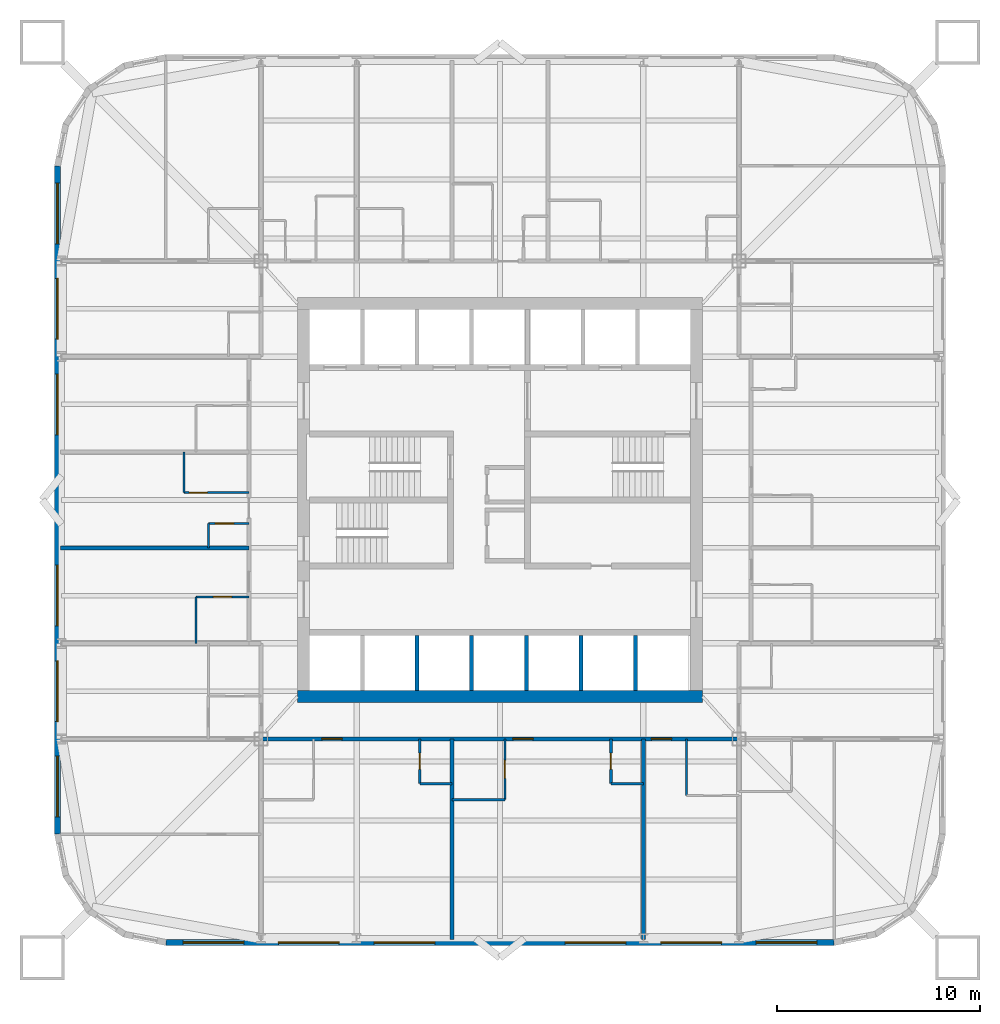
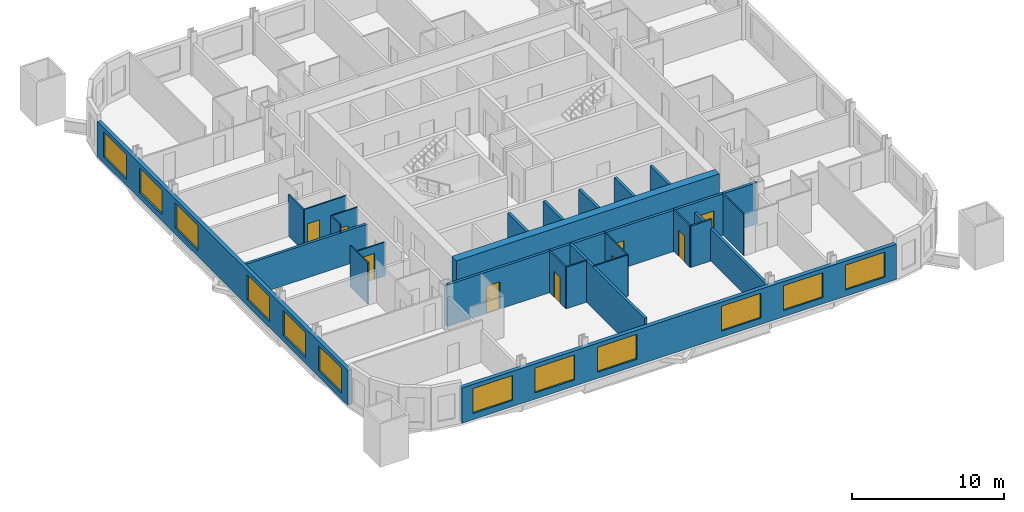
# One storey, part 3 of 9: 25 walls, 12 windows, 9 doors, 21 openings.
"""IFC4 building model written with IfcOpenShell, lengths in metres."""

from ifc_helpers import new_model, si_unit, direction, frame, frame_2d, origin, place, context, subcontext, project, spatial, rectangle, extrude, material, layer, layer_set, type_object, element, fill, save


model = new_model("IFC4")

# Units and contexts
model_context = context("Model", 3, precision=1e-05, world=origin(), true_north=direction((0.0, 1.0)))
body_context = subcontext(model_context, "Body", "Model", "MODEL_VIEW")
ifc_project = project(units=[si_unit("LENGTHUNIT", "METRE"), si_unit("AREAUNIT", "SQUARE_METRE"), si_unit("VOLUMEUNIT", "CUBIC_METRE"), si_unit("PLANEANGLEUNIT", "RADIAN"), si_unit("MASSUNIT", "GRAM", prefix="KILO")], contexts=[model_context])

# Site, building, storey
site_placement = place(None, origin())
site = spatial("IfcSite", under=ifc_project, at=site_placement, CompositionType="ELEMENT")
building_placement = place(site_placement, origin())
building = spatial("IfcBuilding", under=site, at=building_placement, Name="Turquesa Mirador Hotel Tower", CompositionType="ELEMENT")
storey_placement = place(building_placement, frame((0.0, 0.0, 56.5)))
storey = spatial("IfcBuildingStorey", under=building, at=storey_placement, Name="L14", CompositionType="ELEMENT", Elevation=56.5)

# Wall, opening, door
ifc_material_1 = material(Name="Gypsum board on steel studs", Category="steel")
ifc_layer_1 = layer(ifc_material_1, 0.10009765625)
ifc_layer_set_1 = layer_set([ifc_layer_1], Name="BATHROOM WALL 100")
wall_type_1 = type_object("IfcWallType", Name="BATHROOM WALL 100", PredefinedType="PARTITIONING", material=ifc_layer_set_1)
wall_1_placement = place(storey_placement, frame((40.60009765625, 43.840087890625, 0.0), z_axis=(0.0, 0.0, 1.0), x_axis=(1.0, 0.0, 0.0)))
wall_1 = element("IfcWall", 1, at=wall_1_placement, inside=storey, type_object=wall_type_1, Name="Partition L14 001", PredefinedType="PARTITIONING", context=body_context, shape_type="SweptSolid", body=[
    extrude(rectangle(XDim=2.0, YDim=0.10009765625, at=frame_2d((1.0, 0.0))), origin(), (0.0, 0.0, 1.0), 3.330078125),
])
opening_1_placement = place(wall_1_placement, frame((0.35009765625, 0.0, 0.0)))
opening_1 = element("IfcOpeningElement", 2, at=opening_1_placement, cuts=wall_1, Name="Opening D06", PredefinedType="OPENING", context=body_context, shape_type="SweptSolid", body=[
    extrude(rectangle(XDim=0.89990234375, YDim=2.10009765625, at=frame_2d((0.449951171875, 1.050048828125))), frame((0.0, 0.06005859375, 0.0), z_axis=(0.0, -1.0, 0.0), x_axis=(1.0, 0.0, 0.0)), (0.0, 0.0, 1.0), 0.1201171875),
])
ifc_material_2 = material(Name="Laminate door", Category="wood")
door_type_1 = type_object("IfcDoorType", Name="DOOR 900X2100 WC", OperationType="SINGLE_SWING_LEFT", PredefinedType="DOOR", material=ifc_material_2)
door_1_placement = place(opening_1_placement, origin())
door_1 = element("IfcDoor", 3, at=door_1_placement, inside=storey, type_object=door_type_1, Name="Door 1411W", OperationType="SINGLE_SWING_LEFT", OverallHeight=2.10009765625, OverallWidth=0.89990234375, PredefinedType="DOOR", context=body_context, shape_type="SweptSolid", body=[
    extrude(rectangle(XDim=0.89990234375, YDim=2.10009765625, at=frame_2d((0.449951171875, 1.050048828125))), frame((0.0, 0.02490234375, 0.0), z_axis=(0.0, -1.0, 0.0), x_axis=(1.0, 0.0, 0.0)), (0.0, 0.0, 1.0), 0.050048828125),
])
fill(opening_1, door_1)

# Wall
wall_2_placement = place(storey_placement, frame((52.639892578125, 30.199951171875, 0.0), z_axis=(0.0, 0.0, 1.0), x_axis=(1.0, 0.0, 0.0)))
element("IfcWall", 4, at=wall_2_placement, inside=storey, type_object=wall_type_1, Name="Partition L14 011", PredefinedType="PARTITIONING", context=body_context, shape_type="SweptSolid", body=[
    extrude(rectangle(XDim=2.60009765625, YDim=0.10009765625, at=frame_2d((1.300048828125, 0.0))), origin(), (0.0, 0.0, 1.0), 3.330078125),
])

# Wall, opening, door
wall_3_placement = place(storey_placement, frame((40.0, 40.219970703125, 0.0), z_axis=(0.0, 0.0, 1.0), x_axis=(1.0, 0.0, 0.0)))
wall_3 = element("IfcWall", 5, at=wall_3_placement, inside=storey, type_object=wall_type_1, Name="Partition L14 016", PredefinedType="PARTITIONING", context=body_context, shape_type="SweptSolid", body=[
    extrude(rectangle(XDim=2.60009765625, YDim=0.10009765625, at=frame_2d((1.300048828125, 0.0))), origin(), (0.0, 0.0, 1.0), 2.722900390625),
])
opening_2_placement = place(wall_3_placement, frame((0.85009765625, 0.0, 0.0)))
opening_2 = element("IfcOpeningElement", 6, at=opening_2_placement, cuts=wall_3, Name="Opening D02", PredefinedType="OPENING", context=body_context, shape_type="SweptSolid", body=[
    extrude(rectangle(XDim=0.89990234375, YDim=2.10009765625, at=frame_2d((0.449951171875, 1.050048828125))), frame((0.0, 0.06005859375, 0.0), z_axis=(0.0, -1.0, 0.0), x_axis=(1.0, 0.0, 0.0)), (0.0, 0.0, 1.0), 0.1201171875),
])
ifc_material_3 = material(Name="Timber veneered door", Category="wood")
door_type_2 = type_object("IfcDoorType", Name="DOOR 900X2100 EN-SUITE", OperationType="SINGLE_SWING_RIGHT", PredefinedType="DOOR", material=ifc_material_3)
door_2_placement = place(opening_2_placement, origin())
door_2 = element("IfcDoor", 7, at=door_2_placement, inside=storey, type_object=door_type_2, Name="Door 1410B", OperationType="SINGLE_SWING_RIGHT", OverallHeight=2.10009765625, OverallWidth=0.89990234375, PredefinedType="DOOR", context=body_context, shape_type="SweptSolid", body=[
    extrude(rectangle(XDim=0.89990234375, YDim=2.10009765625, at=frame_2d((0.449951171875, 1.050048828125))), frame((0.0, 0.02490234375, 0.0), z_axis=(0.0, -1.0, 0.0), x_axis=(1.0, 0.0, 0.0)), (0.0, 0.0, 1.0), 0.050048828125),
])
fill(opening_2, door_2)

wall_4_placement = place(storey_placement, frame((39.39990234375, 45.360107421875, 0.0), z_axis=(0.0, 0.0, 1.0), x_axis=(1.0, 0.0, 0.0)))
wall_4 = element("IfcWall", 8, at=wall_4_placement, inside=storey, type_object=wall_type_1, Name="Partition L14 024", PredefinedType="PARTITIONING", context=body_context, shape_type="SweptSolid", body=[
    extrude(rectangle(XDim=3.2001953125, YDim=0.10009765625, at=frame_2d((1.60009765625, 0.0))), origin(), (0.0, 0.0, 1.0), 3.330078125),
])
opening_3_placement = place(wall_4_placement, frame((0.25, 0.0, 0.0)))
opening_3 = element("IfcOpeningElement", 9, at=opening_3_placement, cuts=wall_4, Name="Opening D02", PredefinedType="OPENING", context=body_context, shape_type="SweptSolid", body=[
    extrude(rectangle(XDim=0.89990234375, YDim=2.10009765625, at=frame_2d((0.449951171875, 1.050048828125))), frame((0.0, 0.06005859375, 0.0), z_axis=(0.0, -1.0, 0.0), x_axis=(1.0, 0.0, 0.0)), (0.0, 0.0, 1.0), 0.1201171875),
])
door_3_placement = place(opening_3_placement, origin())
door_3 = element("IfcDoor", 10, at=door_3_placement, inside=storey, type_object=door_type_2, Name="Door 1411B", OperationType="SINGLE_SWING_RIGHT", OverallHeight=2.10009765625, OverallWidth=0.89990234375, PredefinedType="DOOR", context=body_context, shape_type="SweptSolid", body=[
    extrude(rectangle(XDim=0.89990234375, YDim=2.10009765625, at=frame_2d((0.449951171875, 1.050048828125))), frame((0.0, 0.02490234375, 0.0), z_axis=(0.0, -1.0, 0.0), x_axis=(1.0, 0.0, 0.0)), (0.0, 0.0, 1.0), 0.050048828125),
])
fill(opening_3, door_3)

# Walls
wall_5_placement = place(storey_placement, frame((40.60009765625, 42.639892578125, 0.0), z_axis=(0.0, 0.0, 1.0), x_axis=(0.0, 1.0, 0.0)))
element("IfcWall", 11, at=wall_5_placement, inside=storey, type_object=wall_type_1, Name="Partition L14 057", PredefinedType="PARTITIONING", context=body_context, shape_type="SweptSolid", body=[
    extrude(rectangle(XDim=1.2001953125, YDim=0.10009765625, at=frame_2d((0.60009765625, 0.0))), origin(), (0.0, 0.0, 1.0), 3.330078125),
])
wall_6_placement = place(storey_placement, frame((40.0, 37.919921875, 0.0), z_axis=(0.0, 0.0, 1.0), x_axis=(0.0, 1.0, 0.0)))
element("IfcWall", 12, at=wall_6_placement, inside=storey, type_object=wall_type_1, Name="Partition L14 060", PredefinedType="PARTITIONING", context=body_context, shape_type="SweptSolid", body=[
    extrude(rectangle(XDim=2.300048828125, YDim=0.10009765625, at=frame_2d((1.14990234375, 0.0))), origin(), (0.0, 0.0, 1.0), 3.330078125),
])
wall_7_placement = place(storey_placement, frame((39.39990234375, 45.360107421875, 0.0), z_axis=(0.0, 0.0, 1.0), x_axis=(0.0, 1.0, 0.0)))
element("IfcWall", 13, at=wall_7_placement, inside=storey, type_object=wall_type_1, Name="Partition L14 062", PredefinedType="PARTITIONING", context=body_context, shape_type="SweptSolid", body=[
    extrude(rectangle(XDim=2.0, YDim=0.10009765625, at=frame_2d((1.0, 0.0))), origin(), (0.0, 0.0, 1.0), 3.330078125),
])

# Wall, opening, door
wall_8_placement = place(storey_placement, frame((55.239990234375, 30.199951171875, 0.0), z_axis=(0.0, 0.0, 1.0), x_axis=(0.0, 1.0, 0.0)))
wall_8 = element("IfcWall", 14, at=wall_8_placement, inside=storey, type_object=wall_type_1, Name="Partition L14 071", PredefinedType="PARTITIONING", context=body_context, shape_type="SweptSolid", body=[
    extrude(rectangle(XDim=3.0, YDim=0.10009765625, at=frame_2d((1.5, 0.0))), origin(), (0.0, 0.0, 1.0), 3.330078125),
])
opening_4_placement = place(wall_8_placement, frame((1.050048828125, 0.0, 0.0)))
opening_4 = element("IfcOpeningElement", 15, at=opening_4_placement, cuts=wall_8, Name="Opening D02", PredefinedType="OPENING", context=body_context, shape_type="SweptSolid", body=[
    extrude(rectangle(XDim=0.89990234375, YDim=2.10009765625, at=frame_2d((0.449951171875, 1.050048828125))), frame((0.0, 0.06005859375, 0.0), z_axis=(0.0, -1.0, 0.0), x_axis=(1.0, 0.0, 0.0)), (0.0, 0.0, 1.0), 0.1201171875),
])
door_4_placement = place(opening_4_placement, origin())
door_4 = element("IfcDoor", 16, at=door_4_placement, inside=storey, type_object=door_type_2, Name="Door 1406B", OperationType="SINGLE_SWING_RIGHT", OverallHeight=2.10009765625, OverallWidth=0.89990234375, PredefinedType="DOOR", context=body_context, shape_type="SweptSolid", body=[
    extrude(rectangle(XDim=0.89990234375, YDim=2.10009765625, at=frame_2d((0.449951171875, 1.050048828125))), frame((0.0, 0.02490234375, 0.0), z_axis=(0.0, -1.0, 0.0), x_axis=(1.0, 0.0, 0.0)), (0.0, 0.0, 1.0), 0.050048828125),
])
fill(opening_4, door_4)

# Walls
wall_9_placement = place(storey_placement, frame((64.199951171875, 30.39990234375, 0.0), z_axis=(0.0, 0.0, 1.0), x_axis=(0.0, 1.0, 0.0)))
element("IfcWall", 17, at=wall_9_placement, inside=storey, type_object=wall_type_1, Name="Partition L14 092", PredefinedType="PARTITIONING", context=body_context, shape_type="SweptSolid", body=[
    extrude(rectangle(XDim=2.800048828125, YDim=0.10009765625, at=frame_2d((1.39990234375, 0.0))), origin(), (0.0, 0.0, 1.0), 3.330078125),
])
ifc_material_4 = material(Name="Concrete C50/60", Category="concrete")
ifc_layer_2 = layer(ifc_material_4, 0.60009765625)
ifc_layer_set_2 = layer_set([ifc_layer_2], Name="CORE WALL 600")
wall_type_2 = type_object("IfcWallType", Name="CORE WALL 600", PredefinedType="SHEAR", material=ifc_layer_set_2)
wall_10_placement = place(storey_placement, frame((45.0, 35.300048828125, 0.0), z_axis=(0.0, 0.0, 1.0), x_axis=(1.0, 0.0, 0.0)))
element("IfcWall", 18, at=wall_10_placement, inside=storey, type_object=wall_type_2, Name="Core wall S", PredefinedType="SHEAR", context=body_context, shape_type="SweptSolid", body=[
    extrude(rectangle(XDim=20.0, YDim=0.60009765625, at=frame_2d((10.0, 0.0))), origin(), (0.0, 0.0, 1.0), 3.5),
])

# Wall, openings, doors
ifc_material_5 = material(Name="Fire-rated gypsum board on steel studs", Category="steel")
ifc_layer_3 = layer(ifc_material_5, 0.199951171875)
ifc_layer_set_3 = layer_set([ifc_layer_3], Name="CORRIDOR WALL 200")
wall_type_3 = type_object("IfcWallType", Name="CORRIDOR WALL 200", PredefinedType="PARTITIONING", material=ifc_layer_set_3)
wall_11_placement = place(storey_placement, frame((43.199951171875, 33.199951171875, 0.0), z_axis=(0.0, 0.0, 1.0), x_axis=(1.0, 0.0, 0.0)))
wall_11 = element("IfcWall", 19, at=wall_11_placement, inside=storey, type_object=wall_type_3, Name="Partition L14 003", PredefinedType="PARTITIONING", context=body_context, shape_type="SweptSolid", body=[
    extrude(rectangle(XDim=23.60009765625, YDim=0.199951171875, at=frame_2d((11.800048828125, 0.0))), origin(), (0.0, 0.0, 1.0), 3.330078125),
])
opening_5_placement = place(wall_11_placement, frame((3.0, 0.0, 0.0)))
opening_5 = element("IfcOpeningElement", 20, at=opening_5_placement, cuts=wall_11, Name="Opening D01", PredefinedType="OPENING", context=body_context, shape_type="SweptSolid", body=[
    extrude(rectangle(XDim=1.0, YDim=2.199951171875, at=frame_2d((0.5, 1.10009765625))), frame((0.0, 0.10986328125, 0.0), z_axis=(0.0, -1.0, 0.0), x_axis=(1.0, 0.0, 0.0)), (0.0, 0.0, 1.0), 0.219970703125),
])
opening_6_placement = place(wall_11_placement, frame((12.43994140625, 0.0, 0.0)))
opening_6 = element("IfcOpeningElement", 21, at=opening_6_placement, cuts=wall_11, Name="Opening D01", PredefinedType="OPENING", context=body_context, shape_type="SweptSolid", body=[
    extrude(rectangle(XDim=1.0, YDim=2.199951171875, at=frame_2d((0.5, 1.10009765625))), frame((0.0, 0.10986328125, 0.0), z_axis=(0.0, -1.0, 0.0), x_axis=(1.0, 0.0, 0.0)), (0.0, 0.0, 1.0), 0.219970703125),
])
opening_7_placement = place(wall_11_placement, frame((19.280029296875, 0.0, 0.0)))
opening_7 = element("IfcOpeningElement", 22, at=opening_7_placement, cuts=wall_11, Name="Opening D01", PredefinedType="OPENING", context=body_context, shape_type="SweptSolid", body=[
    extrude(rectangle(XDim=1.0, YDim=2.199951171875, at=frame_2d((0.5, 1.10009765625))), frame((0.0, 0.10986328125, 0.0), z_axis=(0.0, -1.0, 0.0), x_axis=(1.0, 0.0, 0.0)), (0.0, 0.0, 1.0), 0.219970703125),
])
ifc_material_6 = material(Name="Timber veneered fire door", Category="wood")
door_type_3 = type_object("IfcDoorType", Name="DOOR 1000X2200 GUEST ENTRY", OperationType="SINGLE_SWING_LEFT", PredefinedType="DOOR", material=ifc_material_6)
door_5_placement = place(opening_5_placement, origin())
door_5 = element("IfcDoor", 23, at=door_5_placement, inside=storey, type_object=door_type_3, Name="Door 1405", OperationType="SINGLE_SWING_LEFT", OverallHeight=2.199951171875, OverallWidth=1.0, PredefinedType="DOOR", context=body_context, shape_type="SweptSolid", body=[
    extrude(rectangle(XDim=1.0, YDim=2.199951171875, at=frame_2d((0.5, 1.10009765625))), frame((0.0, 0.02490234375, 0.0), z_axis=(0.0, -1.0, 0.0), x_axis=(1.0, 0.0, 0.0)), (0.0, 0.0, 1.0), 0.050048828125),
])
fill(opening_5, door_5)
door_6_placement = place(opening_6_placement, origin())
door_6 = element("IfcDoor", 24, at=door_6_placement, inside=storey, type_object=door_type_3, Name="Door 1406", OperationType="SINGLE_SWING_LEFT", OverallHeight=2.199951171875, OverallWidth=1.0, PredefinedType="DOOR", context=body_context, shape_type="SweptSolid", body=[
    extrude(rectangle(XDim=1.0, YDim=2.199951171875, at=frame_2d((0.5, 1.10009765625))), frame((0.0, 0.02490234375, 0.0), z_axis=(0.0, -1.0, 0.0), x_axis=(1.0, 0.0, 0.0)), (0.0, 0.0, 1.0), 0.050048828125),
])
fill(opening_6, door_6)
door_7_placement = place(opening_7_placement, origin())
door_7 = element("IfcDoor", 25, at=door_7_placement, inside=storey, type_object=door_type_3, Name="Door 1407", OperationType="SINGLE_SWING_LEFT", OverallHeight=2.199951171875, OverallWidth=1.0, PredefinedType="DOOR", context=body_context, shape_type="SweptSolid", body=[
    extrude(rectangle(XDim=1.0, YDim=2.199951171875, at=frame_2d((0.5, 1.10009765625))), frame((0.0, 0.02490234375, 0.0), z_axis=(0.0, -1.0, 0.0), x_axis=(1.0, 0.0, 0.0)), (0.0, 0.0, 1.0), 0.050048828125),
])
fill(opening_7, door_7)

# Wall, openings, windows
ifc_material_7 = material(Name="Limestone cladding on concrete block", Category="masonry")
ifc_layer_4 = layer(ifc_material_7, 0.300048828125)
ifc_layer_set_4 = layer_set([ifc_layer_4], Name="FACADE WALL 300 STONE SCREEN")
wall_type_4 = type_object("IfcWallType", Name="FACADE WALL 300 STONE SCREEN", PredefinedType="SOLIDWALL", material=ifc_layer_set_4)
wall_12_placement = place(storey_placement, frame((33.14990234375, 61.5, 0.0), z_axis=(0.0, 0.0, 1.0), x_axis=(0.0, -1.0, 0.0)))
wall_12 = element("IfcWall", 26, at=wall_12_placement, inside=storey, type_object=wall_type_4, Name="Facade wall L14 14", PredefinedType="SOLIDWALL", context=body_context, shape_type="SweptSolid", body=[
    extrude(rectangle(XDim=33.0, YDim=0.300048828125, at=frame_2d((16.5, 0.0))), origin(), (0.0, 0.0, 1.0), 2.830078125),
])
opening_8_placement = place(wall_12_placement, frame((0.85009765625, 0.0, 0.5)))
opening_8 = element("IfcOpeningElement", 27, at=opening_8_placement, cuts=wall_12, Name="Opening WN1", PredefinedType="OPENING", context=body_context, shape_type="SweptSolid", body=[
    extrude(rectangle(XDim=3.0, YDim=2.0, at=frame_2d((1.5, 1.0))), frame((0.0, 0.159912109375, 0.0), z_axis=(0.0, -1.0, 0.0), x_axis=(1.0, 0.0, 0.0)), (0.0, 0.0, 1.0), 0.320068359375),
])
opening_9_placement = place(wall_12_placement, frame((5.56005859375, 0.0, 0.5)))
opening_9 = element("IfcOpeningElement", 28, at=opening_9_placement, cuts=wall_12, Name="Opening WN1", PredefinedType="OPENING", context=body_context, shape_type="SweptSolid", body=[
    extrude(rectangle(XDim=3.0, YDim=2.0, at=frame_2d((1.5, 1.0))), frame((0.0, 0.159912109375, 0.0), z_axis=(0.0, -1.0, 0.0), x_axis=(1.0, 0.0, 0.0)), (0.0, 0.0, 1.0), 0.320068359375),
])
opening_10_placement = place(wall_12_placement, frame((10.280029296875, 0.0, 0.5)))
opening_10 = element("IfcOpeningElement", 29, at=opening_10_placement, cuts=wall_12, Name="Opening WN1", PredefinedType="OPENING", context=body_context, shape_type="SweptSolid", body=[
    extrude(rectangle(XDim=3.0, YDim=2.0, at=frame_2d((1.5, 1.0))), frame((0.0, 0.159912109375, 0.0), z_axis=(0.0, -1.0, 0.0), x_axis=(1.0, 0.0, 0.0)), (0.0, 0.0, 1.0), 0.320068359375),
])
opening_11_placement = place(wall_12_placement, frame((19.719970703125, 0.0, 0.5)))
opening_11 = element("IfcOpeningElement", 30, at=opening_11_placement, cuts=wall_12, Name="Opening WN1", PredefinedType="OPENING", context=body_context, shape_type="SweptSolid", body=[
    extrude(rectangle(XDim=3.0, YDim=2.0, at=frame_2d((1.5, 1.0))), frame((0.0, 0.159912109375, 0.0), z_axis=(0.0, -1.0, 0.0), x_axis=(1.0, 0.0, 0.0)), (0.0, 0.0, 1.0), 0.320068359375),
])
opening_12_placement = place(wall_12_placement, frame((24.43994140625, 0.0, 0.5)))
opening_12 = element("IfcOpeningElement", 31, at=opening_12_placement, cuts=wall_12, Name="Opening WN1", PredefinedType="OPENING", context=body_context, shape_type="SweptSolid", body=[
    extrude(rectangle(XDim=3.0, YDim=2.0, at=frame_2d((1.5, 1.0))), frame((0.0, 0.159912109375, 0.0), z_axis=(0.0, -1.0, 0.0), x_axis=(1.0, 0.0, 0.0)), (0.0, 0.0, 1.0), 0.320068359375),
])
opening_13_placement = place(wall_12_placement, frame((29.14990234375, 0.0, 0.5)))
opening_13 = element("IfcOpeningElement", 32, at=opening_13_placement, cuts=wall_12, Name="Opening WN1", PredefinedType="OPENING", context=body_context, shape_type="SweptSolid", body=[
    extrude(rectangle(XDim=3.0, YDim=2.0, at=frame_2d((1.5, 1.0))), frame((0.0, 0.159912109375, 0.0), z_axis=(0.0, -1.0, 0.0), x_axis=(1.0, 0.0, 0.0)), (0.0, 0.0, 1.0), 0.320068359375),
])
ifc_material_8 = material(Name="Ceramic-fritted laminated glass", Category="glass")
window_type = type_object("IfcWindowType", Name="FRITTED WINDOW 3000X2000", PartitioningType="DOUBLE_PANEL_HORIZONTAL", PredefinedType="WINDOW", material=ifc_material_8)
window_1_placement = place(opening_8_placement, origin())
window_1 = element("IfcWindow", 33, at=window_1_placement, inside=storey, type_object=window_type, Name="Window L14", OverallHeight=2.0, OverallWidth=3.0, PartitioningType="SINGLE_PANEL", PredefinedType="WINDOW", context=body_context, shape_type="SweptSolid", body=[
    extrude(rectangle(XDim=3.0, YDim=2.0, at=frame_2d((1.5, 1.0))), frame((0.0, 0.030029296875, 0.0), z_axis=(0.0, -1.0, 0.0), x_axis=(1.0, 0.0, 0.0)), (0.0, 0.0, 1.0), 0.06005859375),
])
fill(opening_8, window_1)
window_2_placement = place(opening_9_placement, origin())
window_2 = element("IfcWindow", 34, at=window_2_placement, inside=storey, type_object=window_type, Name="Window L14", OverallHeight=2.0, OverallWidth=3.0, PartitioningType="SINGLE_PANEL", PredefinedType="WINDOW", context=body_context, shape_type="SweptSolid", body=[
    extrude(rectangle(XDim=3.0, YDim=2.0, at=frame_2d((1.5, 1.0))), frame((0.0, 0.030029296875, 0.0), z_axis=(0.0, -1.0, 0.0), x_axis=(1.0, 0.0, 0.0)), (0.0, 0.0, 1.0), 0.06005859375),
])
fill(opening_9, window_2)
window_3_placement = place(opening_10_placement, origin())
window_3 = element("IfcWindow", 35, at=window_3_placement, inside=storey, type_object=window_type, Name="Window L14", OverallHeight=2.0, OverallWidth=3.0, PartitioningType="SINGLE_PANEL", PredefinedType="WINDOW", context=body_context, shape_type="SweptSolid", body=[
    extrude(rectangle(XDim=3.0, YDim=2.0, at=frame_2d((1.5, 1.0))), frame((0.0, 0.030029296875, 0.0), z_axis=(0.0, -1.0, 0.0), x_axis=(1.0, 0.0, 0.0)), (0.0, 0.0, 1.0), 0.06005859375),
])
fill(opening_10, window_3)
window_4_placement = place(opening_11_placement, origin())
window_4 = element("IfcWindow", 36, at=window_4_placement, inside=storey, type_object=window_type, Name="Window L14", OverallHeight=2.0, OverallWidth=3.0, PartitioningType="SINGLE_PANEL", PredefinedType="WINDOW", context=body_context, shape_type="SweptSolid", body=[
    extrude(rectangle(XDim=3.0, YDim=2.0, at=frame_2d((1.5, 1.0))), frame((0.0, 0.030029296875, 0.0), z_axis=(0.0, -1.0, 0.0), x_axis=(1.0, 0.0, 0.0)), (0.0, 0.0, 1.0), 0.06005859375),
])
fill(opening_11, window_4)
window_5_placement = place(opening_12_placement, origin())
window_5 = element("IfcWindow", 37, at=window_5_placement, inside=storey, type_object=window_type, Name="Window L14", OverallHeight=2.0, OverallWidth=3.0, PartitioningType="SINGLE_PANEL", PredefinedType="WINDOW", context=body_context, shape_type="SweptSolid", body=[
    extrude(rectangle(XDim=3.0, YDim=2.0, at=frame_2d((1.5, 1.0))), frame((0.0, 0.030029296875, 0.0), z_axis=(0.0, -1.0, 0.0), x_axis=(1.0, 0.0, 0.0)), (0.0, 0.0, 1.0), 0.06005859375),
])
fill(opening_12, window_5)
window_6_placement = place(opening_13_placement, origin())
window_6 = element("IfcWindow", 38, at=window_6_placement, inside=storey, type_object=window_type, Name="Window L14", OverallHeight=2.0, OverallWidth=3.0, PartitioningType="SINGLE_PANEL", PredefinedType="WINDOW", context=body_context, shape_type="SweptSolid", body=[
    extrude(rectangle(XDim=3.0, YDim=2.0, at=frame_2d((1.5, 1.0))), frame((0.0, 0.030029296875, 0.0), z_axis=(0.0, -1.0, 0.0), x_axis=(1.0, 0.0, 0.0)), (0.0, 0.0, 1.0), 0.06005859375),
])
fill(opening_13, window_6)

wall_13_placement = place(storey_placement, frame((38.5, 23.14990234375, 0.0), z_axis=(0.0, 0.0, 1.0), x_axis=(1.0, 0.0, 0.0)))
wall_13 = element("IfcWall", 39, at=wall_13_placement, inside=storey, type_object=wall_type_4, Name="Facade wall L14 19", PredefinedType="SOLIDWALL", context=body_context, shape_type="SweptSolid", body=[
    extrude(rectangle(XDim=33.0, YDim=0.300048828125, at=frame_2d((16.5, 0.0))), origin(), (0.0, 0.0, 1.0), 2.830078125),
])
opening_14_placement = place(wall_13_placement, frame((0.85009765625, 0.0, 0.5)))
opening_14 = element("IfcOpeningElement", 40, at=opening_14_placement, cuts=wall_13, Name="Opening WN1", PredefinedType="OPENING", context=body_context, shape_type="SweptSolid", body=[
    extrude(rectangle(XDim=3.0, YDim=2.0, at=frame_2d((1.5, 1.0))), frame((0.0, 0.159912109375, 0.0), z_axis=(0.0, -1.0, 0.0), x_axis=(1.0, 0.0, 0.0)), (0.0, 0.0, 1.0), 0.320068359375),
])
opening_15_placement = place(wall_13_placement, frame((5.56005859375, 0.0, 0.5)))
opening_15 = element("IfcOpeningElement", 41, at=opening_15_placement, cuts=wall_13, Name="Opening WN1", PredefinedType="OPENING", context=body_context, shape_type="SweptSolid", body=[
    extrude(rectangle(XDim=3.0, YDim=2.0, at=frame_2d((1.5, 1.0))), frame((0.0, 0.159912109375, 0.0), z_axis=(0.0, -1.0, 0.0), x_axis=(1.0, 0.0, 0.0)), (0.0, 0.0, 1.0), 0.320068359375),
])
opening_16_placement = place(wall_13_placement, frame((10.280029296875, 0.0, 0.5)))
opening_16 = element("IfcOpeningElement", 42, at=opening_16_placement, cuts=wall_13, Name="Opening WN1", PredefinedType="OPENING", context=body_context, shape_type="SweptSolid", body=[
    extrude(rectangle(XDim=3.0, YDim=2.0, at=frame_2d((1.5, 1.0))), frame((0.0, 0.159912109375, 0.0), z_axis=(0.0, -1.0, 0.0), x_axis=(1.0, 0.0, 0.0)), (0.0, 0.0, 1.0), 0.320068359375),
])
opening_17_placement = place(wall_13_placement, frame((19.719970703125, 0.0, 0.5)))
opening_17 = element("IfcOpeningElement", 43, at=opening_17_placement, cuts=wall_13, Name="Opening WN1", PredefinedType="OPENING", context=body_context, shape_type="SweptSolid", body=[
    extrude(rectangle(XDim=3.0, YDim=2.0, at=frame_2d((1.5, 1.0))), frame((0.0, 0.159912109375, 0.0), z_axis=(0.0, -1.0, 0.0), x_axis=(1.0, 0.0, 0.0)), (0.0, 0.0, 1.0), 0.320068359375),
])
opening_18_placement = place(wall_13_placement, frame((24.43994140625, 0.0, 0.5)))
opening_18 = element("IfcOpeningElement", 44, at=opening_18_placement, cuts=wall_13, Name="Opening WN1", PredefinedType="OPENING", context=body_context, shape_type="SweptSolid", body=[
    extrude(rectangle(XDim=3.0, YDim=2.0, at=frame_2d((1.5, 1.0))), frame((0.0, 0.159912109375, 0.0), z_axis=(0.0, -1.0, 0.0), x_axis=(1.0, 0.0, 0.0)), (0.0, 0.0, 1.0), 0.320068359375),
])
opening_19_placement = place(wall_13_placement, frame((29.14990234375, 0.0, 0.5)))
opening_19 = element("IfcOpeningElement", 45, at=opening_19_placement, cuts=wall_13, Name="Opening WN1", PredefinedType="OPENING", context=body_context, shape_type="SweptSolid", body=[
    extrude(rectangle(XDim=3.0, YDim=2.0, at=frame_2d((1.5, 1.0))), frame((0.0, 0.159912109375, 0.0), z_axis=(0.0, -1.0, 0.0), x_axis=(1.0, 0.0, 0.0)), (0.0, 0.0, 1.0), 0.320068359375),
])
window_7_placement = place(opening_14_placement, origin())
window_7 = element("IfcWindow", 46, at=window_7_placement, inside=storey, type_object=window_type, Name="Window L14", OverallHeight=2.0, OverallWidth=3.0, PartitioningType="SINGLE_PANEL", PredefinedType="WINDOW", context=body_context, shape_type="SweptSolid", body=[
    extrude(rectangle(XDim=3.0, YDim=2.0, at=frame_2d((1.5, 1.0))), frame((0.0, 0.030029296875, 0.0), z_axis=(0.0, -1.0, 0.0), x_axis=(1.0, 0.0, 0.0)), (0.0, 0.0, 1.0), 0.06005859375),
])
fill(opening_14, window_7)
window_8_placement = place(opening_15_placement, origin())
window_8 = element("IfcWindow", 47, at=window_8_placement, inside=storey, type_object=window_type, Name="Window L14", OverallHeight=2.0, OverallWidth=3.0, PartitioningType="SINGLE_PANEL", PredefinedType="WINDOW", context=body_context, shape_type="SweptSolid", body=[
    extrude(rectangle(XDim=3.0, YDim=2.0, at=frame_2d((1.5, 1.0))), frame((0.0, 0.030029296875, 0.0), z_axis=(0.0, -1.0, 0.0), x_axis=(1.0, 0.0, 0.0)), (0.0, 0.0, 1.0), 0.06005859375),
])
fill(opening_15, window_8)
window_9_placement = place(opening_16_placement, origin())
window_9 = element("IfcWindow", 48, at=window_9_placement, inside=storey, type_object=window_type, Name="Window L14", OverallHeight=2.0, OverallWidth=3.0, PartitioningType="SINGLE_PANEL", PredefinedType="WINDOW", context=body_context, shape_type="SweptSolid", body=[
    extrude(rectangle(XDim=3.0, YDim=2.0, at=frame_2d((1.5, 1.0))), frame((0.0, 0.030029296875, 0.0), z_axis=(0.0, -1.0, 0.0), x_axis=(1.0, 0.0, 0.0)), (0.0, 0.0, 1.0), 0.06005859375),
])
fill(opening_16, window_9)
window_10_placement = place(opening_17_placement, origin())
window_10 = element("IfcWindow", 49, at=window_10_placement, inside=storey, type_object=window_type, Name="Window L14", OverallHeight=2.0, OverallWidth=3.0, PartitioningType="SINGLE_PANEL", PredefinedType="WINDOW", context=body_context, shape_type="SweptSolid", body=[
    extrude(rectangle(XDim=3.0, YDim=2.0, at=frame_2d((1.5, 1.0))), frame((0.0, 0.030029296875, 0.0), z_axis=(0.0, -1.0, 0.0), x_axis=(1.0, 0.0, 0.0)), (0.0, 0.0, 1.0), 0.06005859375),
])
fill(opening_17, window_10)
window_11_placement = place(opening_18_placement, origin())
window_11 = element("IfcWindow", 50, at=window_11_placement, inside=storey, type_object=window_type, Name="Window L14", OverallHeight=2.0, OverallWidth=3.0, PartitioningType="SINGLE_PANEL", PredefinedType="WINDOW", context=body_context, shape_type="SweptSolid", body=[
    extrude(rectangle(XDim=3.0, YDim=2.0, at=frame_2d((1.5, 1.0))), frame((0.0, 0.030029296875, 0.0), z_axis=(0.0, -1.0, 0.0), x_axis=(1.0, 0.0, 0.0)), (0.0, 0.0, 1.0), 0.06005859375),
])
fill(opening_18, window_11)
window_12_placement = place(opening_19_placement, origin())
window_12 = element("IfcWindow", 51, at=window_12_placement, inside=storey, type_object=window_type, Name="Window L14", OverallHeight=2.0, OverallWidth=3.0, PartitioningType="SINGLE_PANEL", PredefinedType="WINDOW", context=body_context, shape_type="SweptSolid", body=[
    extrude(rectangle(XDim=3.0, YDim=2.0, at=frame_2d((1.5, 1.0))), frame((0.0, 0.030029296875, 0.0), z_axis=(0.0, -1.0, 0.0), x_axis=(1.0, 0.0, 0.0)), (0.0, 0.0, 1.0), 0.06005859375),
])
fill(opening_19, window_12)

# Walls
ifc_material_9 = material(Name="Fire-rated gypsum shaft wall on steel studs", Category="steel")
ifc_layer_5 = layer(ifc_material_9, 0.199951171875)
ifc_layer_set_5 = layer_set([ifc_layer_5], Name="LIFT SHAFT DIVIDER 200")
wall_type_5 = type_object("IfcWallType", Name="LIFT SHAFT DIVIDER 200", PredefinedType="PARTITIONING", material=ifc_layer_set_5)
for number, where, z_axis, x_axis, name in (
    (52, (50.89990234375, 35.60009765625, 0.0), (0.0, 0.0, 1.0), (0.0, 1.0, 0.0), "Lift shaft divider"),
    (53, (53.60009765625, 35.60009765625, 0.0), (0.0, 0.0, 1.0), (0.0, 1.0, 0.0), "Lift shaft divider"),
    (54, (56.300048828125, 35.60009765625, 0.0), (0.0, 0.0, 1.0), (0.0, 1.0, 0.0), "Lift shaft divider"),
    (55, (59.0, 35.60009765625, 0.0), (0.0, 0.0, 1.0), (0.0, 1.0, 0.0), "Lift shaft divider"),
    (56, (61.699951171875, 35.60009765625, 0.0), (0.0, 0.0, 1.0), (0.0, 1.0, 0.0), "Lift shaft divider"),
):
    element("IfcWall", number, at=place(storey_placement, frame(where, z_axis=z_axis, x_axis=x_axis)), inside=storey, type_object=wall_type_5, Name=name, PredefinedType="PARTITIONING", context=body_context, shape_type="SweptSolid", body=[
        extrude(rectangle(XDim=2.699951171875, YDim=0.199951171875, at=frame_2d((1.35009765625, 0.0))), origin(), (0.0, 0.0, 1.0), 3.330078125),
    ])
ifc_material_10 = material(Name="Fire-rated gypsum board on steel studs", Category="steel")
ifc_layer_6 = layer(ifc_material_10, 0.199951171875)
ifc_layer_set_6 = layer_set([ifc_layer_6], Name="PARTY WALL 200")
wall_type_6 = type_object("IfcWallType", Name="PARTY WALL 200", PredefinedType="PARTITIONING", material=ifc_layer_set_6)
wall_14_placement = place(storey_placement, frame((33.300048828125, 42.639892578125, 0.0), z_axis=(0.0, 0.0, 1.0), x_axis=(1.0, 0.0, 0.0)))
element("IfcWall", 57, at=wall_14_placement, inside=storey, type_object=wall_type_6, Name="Partition L14 013", PredefinedType="PARTITIONING", context=body_context, shape_type="SweptSolid", body=[
    extrude(rectangle(XDim=9.300048828125, YDim=0.199951171875, at=frame_2d((4.64990234375, 0.0))), origin(), (0.0, 0.0, 1.0), 2.722900390625),
])
wall_15_placement = place(storey_placement, frame((52.639892578125, 23.300048828125, 0.0), z_axis=(0.0, 0.0, 1.0), x_axis=(0.0, 1.0, 0.0)))
element("IfcWall", 58, at=wall_15_placement, inside=storey, type_object=wall_type_6, Name="Partition L14 064", PredefinedType="PARTITIONING", context=body_context, shape_type="SweptSolid", body=[
    extrude(rectangle(XDim=9.89990234375, YDim=0.199951171875, at=frame_2d((4.949951171875, 0.0))), origin(), (0.0, 0.0, 1.0), 3.330078125),
])
wall_16_placement = place(storey_placement, frame((62.080078125, 23.300048828125, 0.0), z_axis=(0.0, 0.0, 1.0), x_axis=(0.0, 1.0, 0.0)))
element("IfcWall", 59, at=wall_16_placement, inside=storey, type_object=wall_type_6, Name="Partition L14 091", PredefinedType="PARTITIONING", context=body_context, shape_type="SweptSolid", body=[
    extrude(rectangle(XDim=9.89990234375, YDim=0.199951171875, at=frame_2d((4.949951171875, 0.0))), origin(), (0.0, 0.0, 1.0), 2.572998046875),
])
ifc_material_11 = material(Name="Acoustic gypsum board on steel studs", Category="steel")
ifc_layer_7 = layer(ifc_material_11, 0.125)
ifc_layer_set_7 = layer_set([ifc_layer_7], Name="SUITE PARTITION 125")
wall_type_7 = type_object("IfcWallType", Name="SUITE PARTITION 125", PredefinedType="PARTITIONING", material=ifc_layer_set_7)
wall_17_placement = place(storey_placement, frame((51.0400390625, 31.0, 0.0), z_axis=(0.0, 0.0, 1.0), x_axis=(1.0, 0.0, 0.0)))
element("IfcWall", 60, at=wall_17_placement, inside=storey, type_object=wall_type_7, Name="Partition L14 006", PredefinedType="PARTITIONING", context=body_context, shape_type="SweptSolid", body=[
    extrude(rectangle(XDim=1.599853515625, YDim=0.125, at=frame_2d((0.7998046875, 0.0))), origin(), (0.0, 0.0, 1.0), 3.330078125),
])
wall_18_placement = place(storey_placement, frame((60.47998046875, 31.0, 0.0), z_axis=(0.0, 0.0, 1.0), x_axis=(1.0, 0.0, 0.0)))
element("IfcWall", 61, at=wall_18_placement, inside=storey, type_object=wall_type_7, Name="Partition L14 007", PredefinedType="PARTITIONING", context=body_context, shape_type="SweptSolid", body=[
    extrude(rectangle(XDim=1.60009765625, YDim=0.125, at=frame_2d((0.800048828125, 0.0))), origin(), (0.0, 0.0, 1.0), 3.330078125),
])

# Wall, opening, door
wall_19_placement = place(storey_placement, frame((51.0400390625, 31.0, 0.0), z_axis=(0.0, 0.0, 1.0), x_axis=(0.0, 1.0, 0.0)))
wall_19 = element("IfcWall", 62, at=wall_19_placement, inside=storey, type_object=wall_type_7, Name="Partition L14 066", PredefinedType="PARTITIONING", context=body_context, shape_type="SweptSolid", body=[
    extrude(rectangle(XDim=2.199951171875, YDim=0.125, at=frame_2d((1.10009765625, 0.0))), origin(), (0.0, 0.0, 1.0), 3.330078125),
])
opening_20_placement = place(wall_19_placement, frame((0.699951171875, 0.0, 0.0)))
opening_20 = element("IfcOpeningElement", 63, at=opening_20_placement, cuts=wall_19, Name="Opening D20", PredefinedType="OPENING", context=body_context, shape_type="SweptSolid", body=[
    extrude(rectangle(XDim=0.800048828125, YDim=2.10009765625, at=frame_2d((0.39990234375, 1.050048828125))), frame((0.0, 0.072509765625, 0.0), z_axis=(0.0, -1.0, 0.0), x_axis=(1.0, 0.0, 0.0)), (0.0, 0.0, 1.0), 0.14501953125),
])
ifc_material_12 = material(Name="Timber veneered sliding door", Category="wood")
door_type_4 = type_object("IfcDoorType", Name="DOOR 800X2100 WARDROBE", OperationType="SLIDING_TO_LEFT", PredefinedType="DOOR", material=ifc_material_12)
door_8_placement = place(opening_20_placement, origin())
door_8 = element("IfcDoor", 64, at=door_8_placement, inside=storey, type_object=door_type_4, Name="Door 1405W", OperationType="SLIDING_TO_LEFT", OverallHeight=2.10009765625, OverallWidth=0.800048828125, PredefinedType="DOOR", context=body_context, shape_type="SweptSolid", body=[
    extrude(rectangle(XDim=0.800048828125, YDim=2.10009765625, at=frame_2d((0.39990234375, 1.050048828125))), frame((0.0, 0.02490234375, 0.0), z_axis=(0.0, -1.0, 0.0), x_axis=(1.0, 0.0, 0.0)), (0.0, 0.0, 1.0), 0.050048828125),
])
fill(opening_20, door_8)

wall_20_placement = place(storey_placement, frame((60.47998046875, 31.0, 0.0), z_axis=(0.0, 0.0, 1.0), x_axis=(0.0, 1.0, 0.0)))
wall_20 = element("IfcWall", 65, at=wall_20_placement, inside=storey, type_object=wall_type_7, Name="Partition L14 090", PredefinedType="PARTITIONING", context=body_context, shape_type="SweptSolid", body=[
    extrude(rectangle(XDim=2.199951171875, YDim=0.125, at=frame_2d((1.10009765625, 0.0))), origin(), (0.0, 0.0, 1.0), 3.330078125),
])
opening_21_placement = place(wall_20_placement, frame((0.699951171875, 0.0, 0.0)))
opening_21 = element("IfcOpeningElement", 66, at=opening_21_placement, cuts=wall_20, Name="Opening D20", PredefinedType="OPENING", context=body_context, shape_type="SweptSolid", body=[
    extrude(rectangle(XDim=0.800048828125, YDim=2.10009765625, at=frame_2d((0.39990234375, 1.050048828125))), frame((0.0, 0.072509765625, 0.0), z_axis=(0.0, -1.0, 0.0), x_axis=(1.0, 0.0, 0.0)), (0.0, 0.0, 1.0), 0.14501953125),
])
door_9_placement = place(opening_21_placement, origin())
door_9 = element("IfcDoor", 67, at=door_9_placement, inside=storey, type_object=door_type_4, Name="Door 1406W", OperationType="SLIDING_TO_LEFT", OverallHeight=2.10009765625, OverallWidth=0.800048828125, PredefinedType="DOOR", context=body_context, shape_type="SweptSolid", body=[
    extrude(rectangle(XDim=0.800048828125, YDim=2.10009765625, at=frame_2d((0.39990234375, 1.050048828125))), frame((0.0, 0.02490234375, 0.0), z_axis=(0.0, -1.0, 0.0), x_axis=(1.0, 0.0, 0.0)), (0.0, 0.0, 1.0), 0.050048828125),
])
fill(opening_21, door_9)

save(model, "model.ifc")
